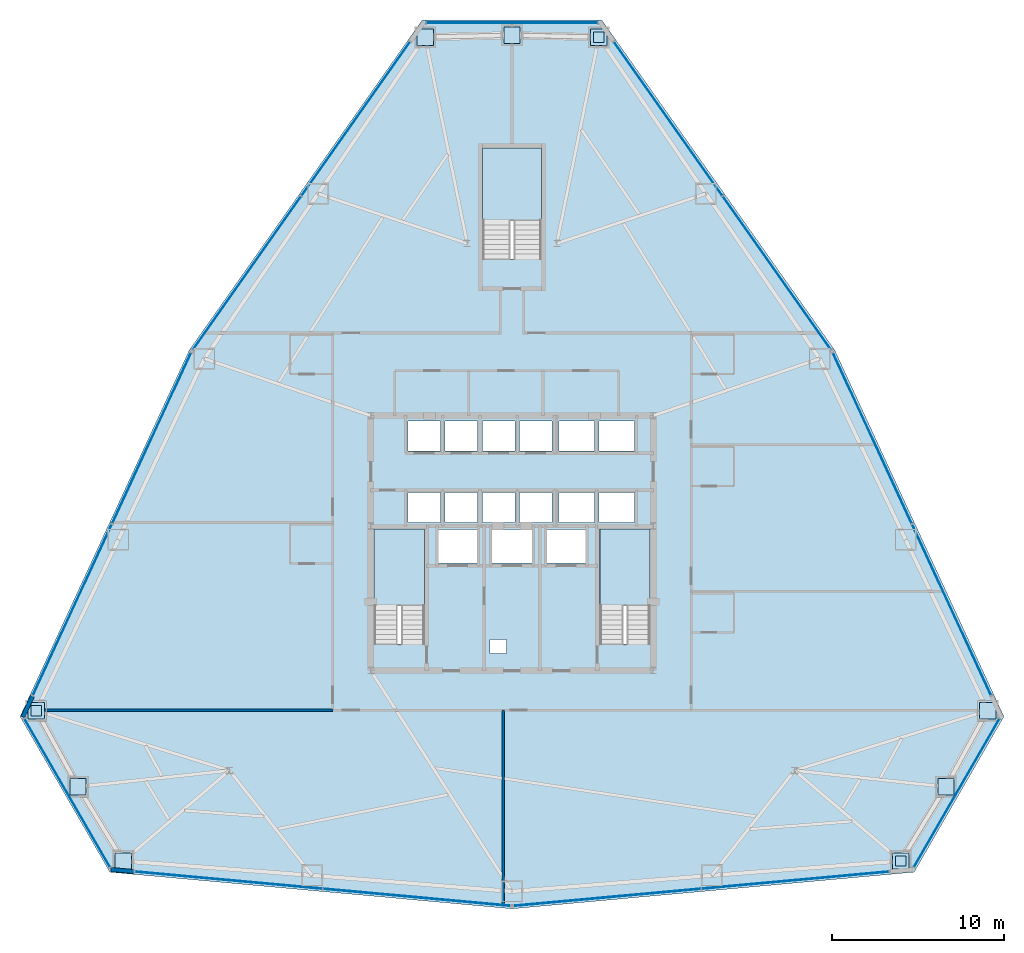
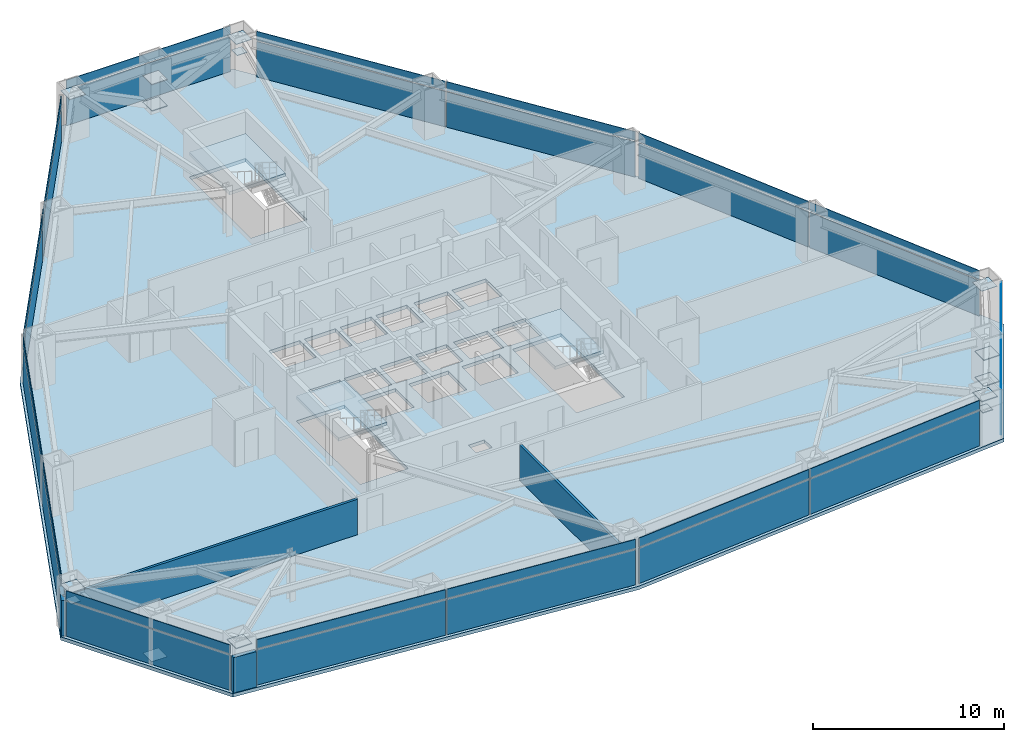
# One storey, part 8 of 12: 45 plates, 4 slabs, 4 walls, 12 elements without a shape of their own.
"""IFC4 building model written with IfcOpenShell, lengths in metres."""

import ifcopenshell
import ifcopenshell.guid

model = None  # the IFC model being written
_history = None  # IfcOwnerHistory: only IFC2X3 demands one
_inside = {}  # id of a spatial element -> (the spatial element, [elements in it])
_under = {}  # id of a project, library or spatial element -> (it, [spatial elements below it])
_declared = {}  # id of a project -> (the project, [libraries it declares])
_typed = {}  # id of a type object -> (the type object, [elements of that type])
_made_of = {}  # id of a material, layer set ... -> (it, [elements and type objects made of it])


def new_model(schema):
    """Start an empty IFC model of exactly this schema.

    Asked for "IFC4X3", IfcOpenShell would pick the latest addendum, in which some entities
    have other attributes; the version numbers below select the first issue.
    IFC2X3 requires an IfcOwnerHistory on every rooted entity: one is made here for all.
    """
    global model, _history
    if schema == "IFC4X3":
        model = ifcopenshell.file(schema_version=(4, 3, 0, 0))
    else:
        model = ifcopenshell.file(schema=schema)
    _inside.clear()
    _under.clear()
    _declared.clear()
    _typed.clear()
    _made_of.clear()
    _history = None
    if model.schema == "IFC2X3":
        org = make("IfcOrganization", Name="unknown")
        user = make(
            "IfcPersonAndOrganization",
            ThePerson=make("IfcPerson", FamilyName="unknown"),
            TheOrganization=org,
        )
        app = make(
            "IfcApplication",
            ApplicationDeveloper=org,
            Version="unknown",
            ApplicationFullName="unknown",
            ApplicationIdentifier="unknown",
        )
        _history = make(
            "IfcOwnerHistory",
            OwningUser=user,
            OwningApplication=app,
            ChangeAction="ADDED",
            CreationDate=0,
        )
    return model


def make(cls, **values):
    """One entity of the class cls with the attributes given. An attribute that is None is left unset."""
    return model.create_entity(
        cls, **{name: value for name, value in values.items() if value is not None}
    )


def rooted(cls, **values):
    """An entity with a GlobalId (a new one), such as an element, a storey or a relation."""
    return make(cls, GlobalId=ifcopenshell.guid.new(), OwnerHistory=_history, **values)


def si_unit(unit_type, name, prefix=None):
    """IfcSIUnit, for example si_unit("LENGTHUNIT", "METRE", prefix="MILLI")."""
    return make("IfcSIUnit", UnitType=unit_type, Prefix=prefix, Name=name)


def assignment(units):
    """IfcUnitAssignment: the units of a project."""
    return None if units is None else make("IfcUnitAssignment", Units=units)


def point(xyz):
    """IfcCartesianPoint."""
    return None if xyz is None else make("IfcCartesianPoint", Coordinates=xyz)


def direction(xyz):
    """IfcDirection."""
    return None if xyz is None else make("IfcDirection", DirectionRatios=xyz)


def frame(location, z_axis=None, x_axis=None):
    """IfcAxis2Placement3D, a coordinate frame: its origin and axes. An axis left out is left unset."""
    return make(
        "IfcAxis2Placement3D",
        Location=point(location),
        Axis=direction(z_axis),
        RefDirection=direction(x_axis),
    )


def frame_2d(location, x_axis=None):
    """IfcAxis2Placement2D, a coordinate frame in the plane: its origin and x axis."""
    return make(
        "IfcAxis2Placement2D", Location=point(location), RefDirection=direction(x_axis)
    )


def origin():
    """The frame at (0, 0, 0) with its axes left unset."""
    return frame((0.0, 0.0, 0.0))


def origin_2d():
    """The frame at (0, 0) in the plane with its x axis left unset."""
    return frame_2d((0.0, 0.0))


def place(relative_to, where):
    """IfcLocalPlacement: puts the frame where relative to a parent placement (None: the world)."""
    return make(
        "IfcLocalPlacement", PlacementRelTo=relative_to, RelativePlacement=where
    )


def context(
    kind, dimensions, precision=None, world=None, true_north=None, identifier=None
):
    """IfcGeometricRepresentationContext, for example the 3D "Model" context."""
    return make(
        "IfcGeometricRepresentationContext",
        ContextIdentifier=identifier,
        ContextType=kind,
        CoordinateSpaceDimension=dimensions,
        Precision=precision,
        WorldCoordinateSystem=world,
        TrueNorth=true_north,
    )


def subcontext(parent, identifier, kind, view, scale=None):
    """IfcGeometricRepresentationSubContext, for example "Body" below "Model"."""
    return make(
        "IfcGeometricRepresentationSubContext",
        ContextIdentifier=identifier,
        ContextType=kind,
        ParentContext=parent,
        TargetScale=scale,
        TargetView=view,
    )


def project(units=None, contexts=None):
    """IfcProject with its units and contexts."""
    return rooted(
        "IfcProject",
        Name="project",
        RepresentationContexts=contexts,
        UnitsInContext=assignment(units),
    )


def spatial(cls, under=None, at=None, **own):
    """A site, building, storey or space (cls), placed at a placement, below another one or the project."""
    s = rooted(cls, ObjectPlacement=at, **own)
    if under is not None:
        _under.setdefault(under.id(), (under, []))[1].append(s)
    return s


def polyline(points):
    """IfcPolyline through the points."""
    return make("IfcPolyline", Points=[point(p) for p in points])


def profile(cls, at=None, kind="AREA", **sizes):
    """A parametric profile (cls). Its sizes go by their IFC names, for example OverallWidth=200.0."""
    return make(cls, ProfileType=kind, Position=at, **sizes)


def rectangle(**sizes):
    """IfcRectangleProfileDef."""
    return profile("IfcRectangleProfileDef", **sizes)


def outline(outer, holes=None, kind="AREA"):
    """IfcArbitraryClosedProfileDef: a profile drawn as a closed curve; with holes, ...WithVoids."""
    if holes is None:
        return make("IfcArbitraryClosedProfileDef", ProfileType=kind, OuterCurve=outer)
    return make(
        "IfcArbitraryProfileDefWithVoids",
        ProfileType=kind,
        OuterCurve=outer,
        InnerCurves=holes,
    )


def extrude(swept, where, along, depth):
    """IfcExtrudedAreaSolid: the profile swept, set in the frame where, extruded along a direction by depth."""
    return make(
        "IfcExtrudedAreaSolid",
        SweptArea=swept,
        Position=where,
        ExtrudedDirection=direction(along),
        Depth=depth,
    )


def shape(context_of_items, identifier, shape_type, items):
    """IfcShapeRepresentation: the items that make up one representation, for example the "Body"."""
    return make(
        "IfcShapeRepresentation",
        ContextOfItems=context_of_items,
        RepresentationIdentifier=identifier,
        RepresentationType=shape_type,
        Items=items,
    )


def source(mapping_origin, context_of_items, identifier, shape_type, items):
    """IfcRepresentationMap: a shape defined once, which mapped items show again and again."""
    return make(
        "IfcRepresentationMap",
        MappingOrigin=mapping_origin,
        MappedRepresentation=shape(context_of_items, identifier, shape_type, items),
    )


def transform(
    local_origin,
    x_axis=None,
    y_axis=None,
    z_axis=None,
    scale=None,
    scale2=None,
    scale3=None,
    uniform=True,
):
    """IfcCartesianTransformationOperator3D, or its non-uniform kind. x_axis, y_axis, z_axis: its Axis1, 2, 3."""
    if uniform:
        return make(
            "IfcCartesianTransformationOperator3D",
            Axis1=direction(x_axis),
            Axis2=direction(y_axis),
            LocalOrigin=point(local_origin),
            Scale=scale,
            Axis3=direction(z_axis),
        )
    return make(
        "IfcCartesianTransformationOperator3DnonUniform",
        Axis1=direction(x_axis),
        Axis2=direction(y_axis),
        LocalOrigin=point(local_origin),
        Scale=scale,
        Axis3=direction(z_axis),
        Scale2=scale2,
        Scale3=scale3,
    )


def mapped(mapping_source, mapping_target):
    """IfcMappedItem: shows the shape of a source again, moved by a transform."""
    return make(
        "IfcMappedItem", MappingSource=mapping_source, MappingTarget=mapping_target
    )


def material(Name=None, Category=None):
    """IfcMaterial."""
    return make("IfcMaterial", Name=Name, Category=Category)


def layer(
    of_material, thickness, ventilated=None, Name=None, Category=None, Priority=None
):
    """IfcMaterialLayer: one layer of a wall or slab, of a material (None: an air gap)."""
    return make(
        "IfcMaterialLayer",
        Material=of_material,
        LayerThickness=thickness,
        IsVentilated=ventilated,
        Name=Name,
        Category=Category,
        Priority=Priority,
    )


def layer_set(layers, Name=None):
    """IfcMaterialLayerSet."""
    return make("IfcMaterialLayerSet", MaterialLayers=layers, LayerSetName=Name)


def made_of(thing, what):
    """Note that an element or type object is made of a material, layer set ...; save() writes the relation."""
    if what is not None:
        _made_of.setdefault(what.id(), (what, []))[1].append(thing)
    return thing


def type_object(cls, material=None, **own):
    """A type object (cls), such as IfcWallType, which elements share."""
    return made_of(rooted(cls, **own), material)


def type_shapes(of_type, sources):
    """Give a type object the sources (RepresentationMaps) that its elements show as mapped items."""
    of_type.RepresentationMaps = sources


def element(
    cls,
    number,
    at=None,
    inside=None,
    cuts=None,
    type_object=None,
    material=None,
    context=None,
    identifier="Body",
    shape_type=None,
    held_by="IfcProductDefinitionShape",
    body=None,
    shapes=None,
    **own,
):
    """One element of the class cls, such as IfcWall. Its Tag is "e" and its number.

    at: its placement. inside: the storey or other place that contains it. cuts: it is an
    opening in that element (IfcRelVoidsElement). A single representation is given by context,
    identifier, shape_type and body (its items); several are given by shapes. held_by: the class
    of the entity that holds the representations. save() writes the other relations.
    """
    e = rooted(cls, Tag="e%d" % number, ObjectPlacement=at, **own)
    if body is not None:
        shapes = [shape(context, identifier, shape_type, body)]
    if shapes is not None:
        e.Representation = make(held_by, Representations=shapes)
    if inside is not None:
        _inside.setdefault(inside.id(), (inside, []))[1].append(e)
    if cuts is not None:
        rooted(
            "IfcRelVoidsElement", RelatingBuildingElement=cuts, RelatedOpeningElement=e
        )
    if type_object is not None:
        _typed.setdefault(type_object.id(), (type_object, []))[1].append(e)
    return made_of(e, material)


def aggregate(whole, parts):
    """IfcRelAggregates: a whole, such as a stair, and the parts it consists of."""
    return rooted("IfcRelAggregates", RelatingObject=whole, RelatedObjects=parts)


def save(model, path):
    """Write the relations noted so far, then the file.

    IfcRelAggregates (storeys below a building ...), IfcRelContainedInSpatialStructure (elements
    in a storey), IfcRelDefinesByType, IfcRelAssociatesMaterial and IfcRelDeclares: one each for
    every whole, place, type object, material and project.
    """
    for whole, parts in _under.values():
        aggregate(whole, parts)
    for where, things in _inside.values():
        rooted(
            "IfcRelContainedInSpatialStructure",
            RelatedElements=things,
            RelatingStructure=where,
        )
    for kind, things in _typed.values():
        rooted("IfcRelDefinesByType", RelatedObjects=things, RelatingType=kind)
    for what, things in _made_of.values():
        rooted("IfcRelAssociatesMaterial", RelatedObjects=things, RelatingMaterial=what)
    for by, libraries in _declared.values():
        rooted("IfcRelDeclares", RelatingContext=by, RelatedDefinitions=libraries)
    model.write(path)


model = new_model("IFC4")

# Units and contexts
model_context = context("Model", 3, precision=1e-05, world=origin(), true_north=direction((0.0, 1.0)))
body_context = subcontext(model_context, "Body", "Model", "MODEL_VIEW")
ifc_project = project(units=[si_unit("LENGTHUNIT", "METRE"), si_unit("AREAUNIT", "SQUARE_METRE"), si_unit("VOLUMEUNIT", "CUBIC_METRE"), si_unit("PLANEANGLEUNIT", "RADIAN"), si_unit("MASSUNIT", "GRAM", prefix="KILO")], contexts=[model_context])

# Site, building, storey
site_placement = place(None, origin())
site = spatial("IfcSite", under=ifc_project, at=site_placement, CompositionType="ELEMENT")
building_placement = place(site_placement, origin())
building = spatial("IfcBuilding", under=site, at=building_placement, Name="Varakhsha Concourse Tower", CompositionType="ELEMENT")
storey_placement = place(building_placement, frame((0.0, 0.0, 36.800048828125)))
storey = spatial("IfcBuildingStorey", under=building, at=storey_placement, Name="L09", CompositionType="ELEMENT", Elevation=36.800048828125)

# Slab
ifc_material_1 = material(Name="Concrete fc 45 MPa", Category="concrete")
ifc_layer_1 = layer(ifc_material_1, 0.219970703125, Name="SL-FLR-220")
ifc_layer_set_1 = layer_set([ifc_layer_1], Name="Concrete fc 45 MPa")
slab_type_1 = type_object("IfcSlabType", Name="SL-FLR-220", PredefinedType="FLOOR", material=ifc_layer_set_1)
slab_1_placement = place(storey_placement, frame((0.0, 0.0, -0.219970703125)))
element("IfcSlab", 1, at=slab_1_placement, inside=storey, type_object=slab_type_1, Name="L09 Composite Structural Slab", PredefinedType="FLOOR", context=body_context, shape_type="SweptSolid", body=[
    extrude(outline(polyline([(45.21435546875, 54.168701171875), (34.78564453125, 54.168701171875), (21.268310546875, 35.0146484375), (11.439208984375, 13.7314453125), (16.653564453125, 4.699951171875), (40.0, 2.570556640625), (63.346435546875, 4.699951171875), (68.560791015625, 13.7314453125), (58.731689453125, 35.0146484375), (45.21435546875, 54.168701171875)]), holes=[polyline([(34.919921875, 17.93994140625), (34.919921875, 24.6298828125), (32.0, 24.6298828125), (32.0, 17.93994140625), (34.919921875, 17.93994140625)]), polyline([(48.02001953125, 17.93994140625), (48.02001953125, 24.6298828125), (45.10009765625, 24.6298828125), (45.10009765625, 17.93994140625), (48.02001953125, 17.93994140625)]), polyline([(41.699951171875, 40.300048828125), (41.699951171875, 46.75), (38.300048828125, 46.75), (38.300048828125, 40.300048828125), (41.699951171875, 40.300048828125)]), polyline([(33.9599609375, 29.159912109375), (35.840087890625, 29.159912109375), (35.840087890625, 30.89990234375), (33.9599609375, 30.89990234375), (33.9599609375, 29.159912109375)]), polyline([(36.1201171875, 29.159912109375), (38.0, 29.159912109375), (38.0, 30.89990234375), (36.1201171875, 30.89990234375), (36.1201171875, 29.159912109375)]), polyline([(38.280029296875, 29.159912109375), (40.159912109375, 29.159912109375), (40.159912109375, 30.89990234375), (38.280029296875, 30.89990234375), (38.280029296875, 29.159912109375)]), polyline([(40.43994140625, 29.159912109375), (42.320068359375, 29.159912109375), (42.320068359375, 30.89990234375), (40.43994140625, 30.89990234375), (40.43994140625, 29.159912109375)]), polyline([(33.9599609375, 25.0), (35.840087890625, 25.0), (35.840087890625, 26.739990234375), (33.9599609375, 26.739990234375), (33.9599609375, 25.0)]), polyline([(36.1201171875, 25.0), (38.0, 25.0), (38.0, 26.739990234375), (36.1201171875, 26.739990234375), (36.1201171875, 25.0)]), polyline([(38.280029296875, 25.0), (40.159912109375, 25.0), (40.159912109375, 26.739990234375), (38.280029296875, 26.739990234375), (38.280029296875, 25.0)]), polyline([(40.43994140625, 25.0), (42.320068359375, 25.0), (42.320068359375, 26.739990234375), (40.43994140625, 26.739990234375), (40.43994140625, 25.0)]), polyline([(42.739990234375, 29.159912109375), (44.780029296875, 29.159912109375), (44.780029296875, 30.89990234375), (42.739990234375, 30.89990234375), (42.739990234375, 29.159912109375)]), polyline([(45.06005859375, 29.159912109375), (47.10009765625, 29.159912109375), (47.10009765625, 30.89990234375), (45.06005859375, 30.89990234375), (45.06005859375, 29.159912109375)]), polyline([(42.739990234375, 25.0), (44.780029296875, 25.0), (44.780029296875, 26.739990234375), (42.739990234375, 26.739990234375), (42.739990234375, 25.0)]), polyline([(45.06005859375, 25.0), (47.10009765625, 25.0), (47.10009765625, 26.739990234375), (45.06005859375, 26.739990234375), (45.06005859375, 25.0)]), polyline([(35.7099609375, 22.639892578125), (37.989990234375, 22.639892578125), (37.989990234375, 24.60009765625), (35.7099609375, 24.60009765625), (35.7099609375, 22.639892578125)]), polyline([(42.010009765625, 22.639892578125), (44.2900390625, 22.639892578125), (44.2900390625, 24.60009765625), (42.010009765625, 24.60009765625), (42.010009765625, 22.639892578125)]), polyline([(38.81005859375, 22.639892578125), (41.18994140625, 22.639892578125), (41.18994140625, 24.60009765625), (38.81005859375, 24.60009765625), (38.81005859375, 22.639892578125)]), polyline([(38.719970703125, 17.39990234375), (39.679931640625, 17.39990234375), (39.679931640625, 18.199951171875), (38.719970703125, 18.199951171875), (38.719970703125, 17.39990234375)])]), origin(), (0.0, 0.0, 1.0), 0.219970703125),
])

# Stair, slab
stair_type_1 = type_object("IfcStairType", Name="ST-DOGLEG-1360", PredefinedType="HALF_TURN_STAIR", material=ifc_material_1)
stair_1_placement = place(storey_placement, origin())
stair_1 = element("IfcStair", 2, at=stair_1_placement, inside=storey, type_object=stair_type_1, Name="L09 Protected Exit Stair ST1", PredefinedType="HALF_TURN_STAIR")
ifc_layer_2 = layer(ifc_material_1, 0.199951171875, Name="SL-LAND-200")
ifc_layer_set_2 = layer_set([ifc_layer_2], Name="Concrete fc 45 MPa")
slab_type_2 = type_object("IfcSlabType", Name="SL-LAND-200", PredefinedType="LANDING", material=ifc_layer_set_2)
slab_2_placement = place(storey_placement, frame((0.0, 0.0, 1.39990234375)))
slab_2 = element("IfcSlab", 3, at=slab_2_placement, type_object=slab_type_2, Name="ST1 landing 1", PredefinedType="LANDING", context=body_context, shape_type="SweptSolid", body=[
    extrude(outline(polyline([(34.919921875, 20.179931640625), (34.919921875, 24.6298828125), (32.0, 24.6298828125), (32.0, 20.179931640625), (34.919921875, 20.179931640625)])), origin(), (0.0, 0.0, 1.0), 0.199951171875),
])
aggregate(stair_1, [slab_2])

stair_2_placement = place(storey_placement, origin())
stair_2 = element("IfcStair", 4, at=stair_2_placement, inside=storey, type_object=stair_type_1, Name="L09 Protected Exit Stair ST2", PredefinedType="HALF_TURN_STAIR")
slab_3_placement = place(storey_placement, frame((0.0, 0.0, 1.39990234375)))
slab_3 = element("IfcSlab", 5, at=slab_3_placement, type_object=slab_type_2, Name="ST2 landing 1", PredefinedType="LANDING", context=body_context, shape_type="SweptSolid", body=[
    extrude(outline(polyline([(48.02001953125, 20.179931640625), (48.02001953125, 24.6298828125), (45.10009765625, 24.6298828125), (45.10009765625, 20.179931640625), (48.02001953125, 20.179931640625)])), origin(), (0.0, 0.0, 1.0), 0.199951171875),
])
aggregate(stair_2, [slab_3])

stair_type_2 = type_object("IfcStairType", Name="ST-DOGLEG-1600", PredefinedType="HALF_TURN_STAIR", material=ifc_material_1)
stair_3_placement = place(storey_placement, origin())
stair_3 = element("IfcStair", 6, at=stair_3_placement, inside=storey, type_object=stair_type_2, Name="L09 Protected Exit Stair ST5", PredefinedType="HALF_TURN_STAIR")
slab_4_placement = place(storey_placement, frame((0.0, 0.0, 1.39990234375)))
slab_4 = element("IfcSlab", 7, at=slab_4_placement, type_object=slab_type_2, Name="ST5 landing 1", PredefinedType="LANDING", context=body_context, shape_type="SweptSolid", body=[
    extrude(outline(polyline([(41.699951171875, 42.5400390625), (41.699951171875, 46.75), (38.300048828125, 46.75), (38.300048828125, 42.5400390625), (41.699951171875, 42.5400390625)])), origin(), (0.0, 0.0, 1.0), 0.199951171875),
])
aggregate(stair_3, [slab_4])

# Plates
ifc_material_2 = material(Name="Structural Steel ASTM A572 Grade 50", Category="steel")
ifc_layer_3 = layer(ifc_material_2, 0.030029296875, Name="PL-ENDCAP-950")
ifc_layer_set_3 = layer_set([ifc_layer_3], Name="Structural Steel ASTM A572 Grade 50")
plate_type_1 = type_object("IfcPlateType", Name="PL-ENDCAP-950", PredefinedType="USERDEFINED", material=ifc_layer_set_3)
shared_shape_1 = source(origin(), body_context, "Body", "SweptSolid", [
    extrude(rectangle(XDim=0.949951171875, YDim=0.949951171875, at=origin_2d()), origin(), (0.0, 0.0, 1.0), 0.030029296875),
])
type_shapes(plate_type_1, [shared_shape_1])
for number, where, z_axis, x_axis, name in (
    (8, (40.0, 53.28857421875, 0.10498046875), (0.0, 0.0, 1.0), (1.0, 0.0, 0.0), "Hollow Section End Cap GP-NODE-L09-0040"),
    (9, (45.040771484375, 53.171630859375, 2.6650390625), (0.0, 0.0, 1.0), (1.0, 0.0, 0.0), "Hollow Section End Cap GP-NODE-L09-0041"),
    (10, (34.959228515625, 53.171630859375, 2.6650390625), (0.0, 0.0, 1.0), (1.0, 0.0, 0.0), "Hollow Section End Cap GP-NODE-L09-0042"),
    (11, (14.80859375, 9.65576171875, 0.10498046875), (0.0, 0.0, 1.0), (1.0, 0.0, 0.0), "Hollow Section End Cap GP-NODE-L09-0043"),
    (12, (12.389404296875, 14.07958984375, 2.6650390625), (0.0, 0.0, 1.0), (1.0, 0.0, 0.0), "Hollow Section End Cap GP-NODE-L09-0044"),
    (13, (17.430419921875, 5.3486328125, 2.6650390625), (0.0, 0.0, 1.0), (1.0, 0.0, 0.0), "Hollow Section End Cap GP-NODE-L09-0045"),
    (14, (65.19140625, 9.65576171875, 0.10498046875), (0.0, 0.0, 1.0), (1.0, 0.0, 0.0), "Hollow Section End Cap GP-NODE-L09-0046"),
    (15, (62.569580078125, 5.3486328125, 2.6650390625), (0.0, 0.0, 1.0), (1.0, 0.0, 0.0), "Hollow Section End Cap GP-NODE-L09-0047"),
    (16, (67.610595703125, 14.07958984375, 2.6650390625), (0.0, 0.0, 1.0), (1.0, 0.0, 0.0), "Hollow Section End Cap GP-NODE-L09-0048"),
    (17, (40.0, 53.28857421875, 1.78515625), (0.0, 0.0, 1.0), (1.0, 0.0, 0.0), "Hollow Section End Cap GP-NODE-L09-0049"),
    (18, (14.80859375, 9.65576171875, 1.78515625), (0.0, 0.0, 1.0), (1.0, 0.0, 0.0), "Hollow Section End Cap GP-NODE-L09-0050"),
    (19, (65.19140625, 9.65576171875, 1.78515625), (0.0, 0.0, 1.0), (1.0, 0.0, 0.0), "Hollow Section End Cap GP-NODE-L09-0051"),
):
    element("IfcPlate", number, at=place(storey_placement, frame(where, z_axis=z_axis, x_axis=x_axis)), inside=storey, type_object=plate_type_1, Name=name, ObjectType="END PLATE", PredefinedType="USERDEFINED", context=body_context, shape_type="MappedRepresentation", body=[
        mapped(shared_shape_1, transform((0.0, 0.0, 0.0), scale=1.0)),
    ])
ifc_layer_4 = layer(ifc_material_2, 0.030029296875, Name="PL-BASE-600")
ifc_layer_set_4 = layer_set([ifc_layer_4], Name="Structural Steel ASTM A572 Grade 50")
plate_type_2 = type_object("IfcPlateType", Name="PL-BASE-600", PredefinedType="SHEET", material=ifc_layer_set_4)
shared_shape_2 = source(origin(), body_context, "Body", "SweptSolid", [
    extrude(rectangle(XDim=0.60009765625, YDim=0.60009765625, at=origin_2d()), origin(), (0.0, 0.0, 1.0), 0.030029296875),
])
type_shapes(plate_type_2, [shared_shape_2])
for number, where, z_axis, x_axis, name in (
    (20, (45.040771484375, 53.171630859375, 1.78515625), (0.0, 0.0, 1.0), (1.0, 0.0, 0.0), "Hollow Section End Cap BP-WTIE-L09-1"),
    (21, (12.389404296875, 14.07958984375, 1.78515625), (0.0, 0.0, 1.0), (1.0, 0.0, 0.0), "Hollow Section End Cap BP-WTIE-L09-2"),
    (22, (62.569580078125, 5.3486328125, 1.78515625), (0.0, 0.0, 1.0), (1.0, 0.0, 0.0), "Hollow Section End Cap BP-WTIE-L09-3"),
):
    element("IfcPlate", number, at=place(storey_placement, frame(where, z_axis=z_axis, x_axis=x_axis)), inside=storey, type_object=plate_type_2, Name=name, PredefinedType="SHEET", context=body_context, shape_type="MappedRepresentation", body=[
        mapped(shared_shape_2, transform((0.0, 0.0, 0.0), scale=1.0)),
    ])

# Curtain wall, plate
ifc_material_3 = material(Name="Anodised Bronze Architectural Aluminium AA 6063-T6", Category="aluminium")
ifc_layer_5 = layer(ifc_material_3, 0.219970703125, Name="CW-SYS-02")
ifc_layer_set_5 = layer_set([ifc_layer_5], Name="Anodised Bronze Architectural Aluminium AA 6063-T6")
curtain_wall_type = type_object("IfcCurtainWallType", Name="CW-SYS-02", PredefinedType="NOTDEFINED", material=ifc_layer_set_5)
curtain_wall_1_placement = place(storey_placement, origin())
curtain_wall_1 = element("IfcCurtainWall", 23, at=curtain_wall_1_placement, inside=storey, type_object=curtain_wall_type, Name="L09 Chamfer Curtain Wall F1", PredefinedType="NOTDEFINED")
ifc_material_4 = material(Name="Insulated Anodised Bronze Aluminium Spandrel 36 mm", Category="aluminium")
ifc_layer_6 = layer(ifc_material_4, 0.035888671875, Name="CWP-SPN-36")
ifc_layer_set_6 = layer_set([ifc_layer_6], Name="Insulated Anodised Bronze Aluminium Spandrel 36 mm")
plate_type_3 = type_object("IfcPlateType", Name="CWP-SPN-36", PredefinedType="USERDEFINED", material=ifc_layer_set_6)
shared_shape_3 = source(origin(), body_context, "Body", "SweptSolid", [
    extrude(rectangle(XDim=9.90966796875, YDim=0.035888671875, at=origin_2d()), origin(), (0.0, 0.0, 1.0), 2.260986328125),
])
type_shapes(plate_type_3, [shared_shape_3])
plate_1_placement = place(storey_placement, frame((40.0, 54.008544921875, 0.03466796875), z_axis=(0.0, 0.0, 1.0), x_axis=(1.0, 0.0, 0.0)))
plate_1 = element("IfcPlate", 24, at=plate_1_placement, type_object=plate_type_3, Name="CW-L09-F1 Panel 00-00", ObjectType="SPANDREL", PredefinedType="USERDEFINED", context=body_context, shape_type="MappedRepresentation", body=[
    mapped(shared_shape_3, transform((0.0, 0.0, 0.0), scale=1.0)),
])

curtain_wall_2_placement = place(storey_placement, origin())
curtain_wall_2 = element("IfcCurtainWall", 25, at=curtain_wall_2_placement, inside=storey, type_object=curtain_wall_type, Name="L09 Chamfer Curtain Wall F4", PredefinedType="NOTDEFINED")
plate_2_placement = place(storey_placement, frame((14.18505859375, 9.295654296875, 0.03466796875), z_axis=(0.0, 0.0, 1.0), x_axis=(-0.4999984885, 0.866026276448, 0.0)))
plate_2 = element("IfcPlate", 26, at=plate_2_placement, type_object=plate_type_3, Name="CW-L09-F4 Panel 00-00", ObjectType="SPANDREL", PredefinedType="USERDEFINED", context=body_context, shape_type="MappedRepresentation", body=[
    mapped(shared_shape_3, transform((0.0, 0.0, 0.0), scale=1.0)),
])

curtain_wall_3_placement = place(storey_placement, origin())
curtain_wall_3 = element("IfcCurtainWall", 27, at=curtain_wall_3_placement, inside=storey, type_object=curtain_wall_type, Name="L09 Chamfer Curtain Wall F7", PredefinedType="NOTDEFINED")
plate_3_placement = place(storey_placement, frame((65.81494140625, 9.295654296875, 0.03466796875), z_axis=(0.0, 0.0, 1.0), x_axis=(-0.4999984885, -0.866026276448, 0.0)))
plate_3 = element("IfcPlate", 28, at=plate_3_placement, type_object=plate_type_3, Name="CW-L09-F7 Panel 00-00", ObjectType="SPANDREL", PredefinedType="USERDEFINED", context=body_context, shape_type="MappedRepresentation", body=[
    mapped(shared_shape_3, transform((0.0, 0.0, 0.0), scale=1.0)),
])

# Plate
ifc_material_5 = material(Name="Glazed Turquoise-Bronze Ceramic Spandrel Panel 38 mm", Category="ceramic")
ifc_layer_7 = layer(ifc_material_5, 0.0380859375, Name="CWP-SPN-38")
ifc_layer_set_7 = layer_set([ifc_layer_7], Name="Glazed Turquoise-Bronze Ceramic Spandrel Panel 38 mm")
plate_type_4 = type_object("IfcPlateType", Name="CWP-SPN-38", PredefinedType="USERDEFINED", material=ifc_layer_set_7)
shared_shape_4 = source(origin(), body_context, "Body", "SweptSolid", [
    extrude(rectangle(XDim=9.90966796875, YDim=0.0380859375, at=origin_2d()), origin(), (0.0, 0.0, 1.0), 0.5810546875),
])
plate_4_placement = place(storey_placement, frame((40.0, 54.008544921875, 2.364501953125), z_axis=(0.0, 0.0, 1.0), x_axis=(1.0, 0.0, 0.0)))
plate_4 = element("IfcPlate", 29, at=plate_4_placement, type_object=plate_type_4, Name="CW-L09-F1 Panel 00-01", ObjectType="SPANDREL", PredefinedType="USERDEFINED", context=body_context, shape_type="MappedRepresentation", body=[
    mapped(shared_shape_4, transform((0.0, 0.0, 0.0), scale=1.0)),
])

aggregate(curtain_wall_1, [plate_1, plate_4])

plate_5_placement = place(storey_placement, frame((14.18505859375, 9.295654296875, 2.364501953125), z_axis=(0.0, 0.0, 1.0), x_axis=(-0.4999984885, 0.866026276448, 0.0)))
plate_5 = element("IfcPlate", 30, at=plate_5_placement, type_object=plate_type_4, Name="CW-L09-F4 Panel 00-01", ObjectType="SPANDREL", PredefinedType="USERDEFINED", context=body_context, shape_type="MappedRepresentation", body=[
    mapped(shared_shape_4, transform((0.0, 0.0, 0.0), scale=1.0)),
])

aggregate(curtain_wall_2, [plate_2, plate_5])

plate_6_placement = place(storey_placement, frame((65.81494140625, 9.295654296875, 2.364501953125), z_axis=(0.0, 0.0, 1.0), x_axis=(-0.4999984885, -0.866026276448, 0.0)))
plate_6 = element("IfcPlate", 31, at=plate_6_placement, type_object=plate_type_4, Name="CW-L09-F7 Panel 00-01", ObjectType="SPANDREL", PredefinedType="USERDEFINED", context=body_context, shape_type="MappedRepresentation", body=[
    mapped(shared_shape_4, transform((0.0, 0.0, 0.0), scale=1.0)),
])

aggregate(curtain_wall_3, [plate_3, plate_6])

# Curtain wall, plates
curtain_wall_4_placement = place(storey_placement, origin())
curtain_wall_4 = element("IfcCurtainWall", 32, at=curtain_wall_4_placement, inside=storey, type_object=curtain_wall_type, Name="L09 Crystal Curtain Wall F2", PredefinedType="NOTDEFINED")
ifc_material_6 = material(Name="Low-E Triple Insulating Glass IGU 44 mm", Category="glass")
ifc_layer_8 = layer(ifc_material_6, 0.0439453125, Name="CWP-IGU-44")
ifc_layer_set_8 = layer_set([ifc_layer_8], Name="Low-E Triple Insulating Glass IGU 44 mm")
plate_type_5 = type_object("IfcPlateType", Name="CWP-IGU-44", PredefinedType="CURTAIN_PANEL", material=ifc_layer_set_8)
shared_shape_5 = source(origin(), body_context, "Body", "SweptSolid", [
    extrude(rectangle(XDim=10.892578125, YDim=0.0439453125, at=origin_2d()), origin(), (0.0, 0.0, 1.0), 2.260986328125),
])
type_shapes(plate_type_5, [shared_shape_5])
plate_7_placement = place(storey_placement, frame((24.6083984375, 39.469970703125, 0.03466796875), z_axis=(0.0, 0.0, 1.0), x_axis=(0.576593464077, 0.817031197191, 0.0)))
plate_7 = element("IfcPlate", 33, at=plate_7_placement, type_object=plate_type_5, Name="CW-L09-F2 Panel 00-00", PredefinedType="CURTAIN_PANEL", context=body_context, shape_type="MappedRepresentation", body=[
    mapped(shared_shape_5, transform((0.0, 0.0, 0.0), scale=1.0)),
])
plate_8_placement = place(storey_placement, frame((30.9345703125, 48.43408203125, 0.03466796875), z_axis=(0.0, 0.0, 1.0), x_axis=(0.576593464077, 0.817031197191, 0.0)))
plate_8 = element("IfcPlate", 34, at=plate_8_placement, type_object=plate_type_5, Name="CW-L09-F2 Panel 01-00", PredefinedType="CURTAIN_PANEL", context=body_context, shape_type="MappedRepresentation", body=[
    mapped(shared_shape_5, transform((0.0, 0.0, 0.0), scale=1.0)),
])

curtain_wall_5_placement = place(storey_placement, origin())
curtain_wall_5 = element("IfcCurtainWall", 35, at=curtain_wall_5_placement, inside=storey, type_object=curtain_wall_type, Name="L09 Crystal Curtain Wall F3", PredefinedType="NOTDEFINED")
plate_9_placement = place(storey_placement, frame((14.47998046875, 19.933837890625, 0.03466796875), z_axis=(0.0, 0.0, 1.0), x_axis=(0.419269871381, 0.907861649676, 0.0)))
plate_9 = element("IfcPlate", 36, at=plate_9_placement, type_object=plate_type_5, Name="CW-L09-F3 Panel 00-00", PredefinedType="CURTAIN_PANEL", context=body_context, shape_type="MappedRepresentation", body=[
    mapped(shared_shape_5, transform((0.0, 0.0, 0.0), scale=1.0)),
])
plate_10_placement = place(storey_placement, frame((19.080078125, 29.89453125, 0.03466796875), z_axis=(0.0, 0.0, 1.0), x_axis=(0.419269871381, 0.907861649676, 0.0)))
plate_10 = element("IfcPlate", 37, at=plate_10_placement, type_object=plate_type_5, Name="CW-L09-F3 Panel 01-00", PredefinedType="CURTAIN_PANEL", context=body_context, shape_type="MappedRepresentation", body=[
    mapped(shared_shape_5, transform((0.0, 0.0, 0.0), scale=1.0)),
])

curtain_wall_6_placement = place(storey_placement, origin())
curtain_wall_6 = element("IfcCurtainWall", 38, at=curtain_wall_6_placement, inside=storey, type_object=curtain_wall_type, Name="L09 Crystal Curtain Wall F5", PredefinedType="NOTDEFINED")
plate_11_placement = place(storey_placement, frame((34.4716796875, 3.235595703125, 0.03466796875), z_axis=(0.0, 0.0, 1.0), x_axis=(-0.995866028897, 0.090834203295, 0.0)))
plate_11 = element("IfcPlate", 39, at=plate_11_placement, type_object=plate_type_5, Name="CW-L09-F5 Panel 00-00", PredefinedType="CURTAIN_PANEL", context=body_context, shape_type="MappedRepresentation", body=[
    mapped(shared_shape_5, transform((0.0, 0.0, 0.0), scale=1.0)),
])
plate_12_placement = place(storey_placement, frame((23.54541015625, 4.232177734375, 0.03466796875), z_axis=(0.0, 0.0, 1.0), x_axis=(-0.995866028897, 0.090834203295, 0.0)))
plate_12 = element("IfcPlate", 40, at=plate_12_placement, type_object=plate_type_5, Name="CW-L09-F5 Panel 01-00", PredefinedType="CURTAIN_PANEL", context=body_context, shape_type="MappedRepresentation", body=[
    mapped(shared_shape_5, transform((0.0, 0.0, 0.0), scale=1.0)),
])

curtain_wall_7_placement = place(storey_placement, origin())
curtain_wall_7 = element("IfcCurtainWall", 41, at=curtain_wall_7_placement, inside=storey, type_object=curtain_wall_type, Name="L09 Crystal Curtain Wall F6", PredefinedType="NOTDEFINED")
plate_13_placement = place(storey_placement, frame((56.45458984375, 4.232177734375, 0.03466796875), z_axis=(0.0, 0.0, 1.0), x_axis=(-0.995866028897, -0.090834203295, 0.0)))
plate_13 = element("IfcPlate", 42, at=plate_13_placement, type_object=plate_type_5, Name="CW-L09-F6 Panel 00-00", PredefinedType="CURTAIN_PANEL", context=body_context, shape_type="MappedRepresentation", body=[
    mapped(shared_shape_5, transform((0.0, 0.0, 0.0), scale=1.0)),
])
plate_14_placement = place(storey_placement, frame((45.5283203125, 3.235595703125, 0.03466796875), z_axis=(0.0, 0.0, 1.0), x_axis=(-0.995866028897, -0.090834203295, 0.0)))
plate_14 = element("IfcPlate", 43, at=plate_14_placement, type_object=plate_type_5, Name="CW-L09-F6 Panel 01-00", PredefinedType="CURTAIN_PANEL", context=body_context, shape_type="MappedRepresentation", body=[
    mapped(shared_shape_5, transform((0.0, 0.0, 0.0), scale=1.0)),
])

curtain_wall_8_placement = place(storey_placement, origin())
curtain_wall_8 = element("IfcCurtainWall", 44, at=curtain_wall_8_placement, inside=storey, type_object=curtain_wall_type, Name="L09 Crystal Curtain Wall F8", PredefinedType="NOTDEFINED")
plate_15_placement = place(storey_placement, frame((60.919921875, 29.89453125, 0.03466796875), z_axis=(0.0, 0.0, 1.0), x_axis=(0.419269871381, -0.907861649676, 0.0)))
plate_15 = element("IfcPlate", 45, at=plate_15_placement, type_object=plate_type_5, Name="CW-L09-F8 Panel 00-00", PredefinedType="CURTAIN_PANEL", context=body_context, shape_type="MappedRepresentation", body=[
    mapped(shared_shape_5, transform((0.0, 0.0, 0.0), scale=1.0)),
])
plate_16_placement = place(storey_placement, frame((65.52001953125, 19.933837890625, 0.03466796875), z_axis=(0.0, 0.0, 1.0), x_axis=(0.419269871381, -0.907861649676, 0.0)))
plate_16 = element("IfcPlate", 46, at=plate_16_placement, type_object=plate_type_5, Name="CW-L09-F8 Panel 01-00", PredefinedType="CURTAIN_PANEL", context=body_context, shape_type="MappedRepresentation", body=[
    mapped(shared_shape_5, transform((0.0, 0.0, 0.0), scale=1.0)),
])

curtain_wall_9_placement = place(storey_placement, origin())
curtain_wall_9 = element("IfcCurtainWall", 47, at=curtain_wall_9_placement, inside=storey, type_object=curtain_wall_type, Name="L09 Crystal Curtain Wall F9", PredefinedType="NOTDEFINED")
plate_17_placement = place(storey_placement, frame((49.0654296875, 48.43408203125, 0.03466796875), z_axis=(0.0, 0.0, 1.0), x_axis=(0.576593464077, -0.817031197191, 0.0)))
plate_17 = element("IfcPlate", 48, at=plate_17_placement, type_object=plate_type_5, Name="CW-L09-F9 Panel 00-00", PredefinedType="CURTAIN_PANEL", context=body_context, shape_type="MappedRepresentation", body=[
    mapped(shared_shape_5, transform((0.0, 0.0, 0.0), scale=1.0)),
])
plate_18_placement = place(storey_placement, frame((55.3916015625, 39.469970703125, 0.03466796875), z_axis=(0.0, 0.0, 1.0), x_axis=(0.576593464077, -0.817031197191, 0.0)))
plate_18 = element("IfcPlate", 49, at=plate_18_placement, type_object=plate_type_5, Name="CW-L09-F9 Panel 01-00", PredefinedType="CURTAIN_PANEL", context=body_context, shape_type="MappedRepresentation", body=[
    mapped(shared_shape_5, transform((0.0, 0.0, 0.0), scale=1.0)),
])

# Plate
shared_shape_6 = source(origin(), body_context, "Body", "SweptSolid", [
    extrude(rectangle(XDim=10.892578125, YDim=0.0380859375, at=origin_2d()), origin(), (0.0, 0.0, 1.0), 0.5810546875),
])
type_shapes(plate_type_4, [shared_shape_4, shared_shape_6])
plate_19_placement = place(storey_placement, frame((24.6083984375, 39.469970703125, 2.364501953125), z_axis=(0.0, 0.0, 1.0), x_axis=(0.576593464077, 0.817031197191, 0.0)))
plate_19 = element("IfcPlate", 50, at=plate_19_placement, type_object=plate_type_4, Name="CW-L09-F2 Panel 00-01", ObjectType="SPANDREL", PredefinedType="USERDEFINED", context=body_context, shape_type="MappedRepresentation", body=[
    mapped(shared_shape_6, transform((0.0, 0.0, 0.0), scale=1.0)),
])

plate_20_placement = place(storey_placement, frame((30.9345703125, 48.43408203125, 2.364501953125), z_axis=(0.0, 0.0, 1.0), x_axis=(0.576593464077, 0.817031197191, 0.0)))
plate_20 = element("IfcPlate", 51, at=plate_20_placement, type_object=plate_type_4, Name="CW-L09-F2 Panel 01-01", ObjectType="SPANDREL", PredefinedType="USERDEFINED", context=body_context, shape_type="MappedRepresentation", body=[
    mapped(shared_shape_6, transform((0.0, 0.0, 0.0), scale=1.0)),
])

aggregate(curtain_wall_4, [plate_7, plate_19, plate_8, plate_20])

plate_21_placement = place(storey_placement, frame((14.47998046875, 19.933837890625, 2.364501953125), z_axis=(0.0, 0.0, 1.0), x_axis=(0.419269871381, 0.907861649676, 0.0)))
plate_21 = element("IfcPlate", 52, at=plate_21_placement, type_object=plate_type_4, Name="CW-L09-F3 Panel 00-01", ObjectType="SPANDREL", PredefinedType="USERDEFINED", context=body_context, shape_type="MappedRepresentation", body=[
    mapped(shared_shape_6, transform((0.0, 0.0, 0.0), scale=1.0)),
])

plate_22_placement = place(storey_placement, frame((19.080078125, 29.89453125, 2.364501953125), z_axis=(0.0, 0.0, 1.0), x_axis=(0.419269871381, 0.907861649676, 0.0)))
plate_22 = element("IfcPlate", 53, at=plate_22_placement, type_object=plate_type_4, Name="CW-L09-F3 Panel 01-01", ObjectType="SPANDREL", PredefinedType="USERDEFINED", context=body_context, shape_type="MappedRepresentation", body=[
    mapped(shared_shape_6, transform((0.0, 0.0, 0.0), scale=1.0)),
])

aggregate(curtain_wall_5, [plate_9, plate_21, plate_10, plate_22])

plate_23_placement = place(storey_placement, frame((34.4716796875, 3.235595703125, 2.364501953125), z_axis=(0.0, 0.0, 1.0), x_axis=(-0.995866028897, 0.090834203295, 0.0)))
plate_23 = element("IfcPlate", 54, at=plate_23_placement, type_object=plate_type_4, Name="CW-L09-F5 Panel 00-01", ObjectType="SPANDREL", PredefinedType="USERDEFINED", context=body_context, shape_type="MappedRepresentation", body=[
    mapped(shared_shape_6, transform((0.0, 0.0, 0.0), scale=1.0)),
])

plate_24_placement = place(storey_placement, frame((23.54541015625, 4.232177734375, 2.364501953125), z_axis=(0.0, 0.0, 1.0), x_axis=(-0.995866028897, 0.090834203295, 0.0)))
plate_24 = element("IfcPlate", 55, at=plate_24_placement, type_object=plate_type_4, Name="CW-L09-F5 Panel 01-01", ObjectType="SPANDREL", PredefinedType="USERDEFINED", context=body_context, shape_type="MappedRepresentation", body=[
    mapped(shared_shape_6, transform((0.0, 0.0, 0.0), scale=1.0)),
])

aggregate(curtain_wall_6, [plate_11, plate_23, plate_12, plate_24])

plate_25_placement = place(storey_placement, frame((56.45458984375, 4.232177734375, 2.364501953125), z_axis=(0.0, 0.0, 1.0), x_axis=(-0.995866028897, -0.090834203295, 0.0)))
plate_25 = element("IfcPlate", 56, at=plate_25_placement, type_object=plate_type_4, Name="CW-L09-F6 Panel 00-01", ObjectType="SPANDREL", PredefinedType="USERDEFINED", context=body_context, shape_type="MappedRepresentation", body=[
    mapped(shared_shape_6, transform((0.0, 0.0, 0.0), scale=1.0)),
])

plate_26_placement = place(storey_placement, frame((45.5283203125, 3.235595703125, 2.364501953125), z_axis=(0.0, 0.0, 1.0), x_axis=(-0.995866028897, -0.090834203295, 0.0)))
plate_26 = element("IfcPlate", 57, at=plate_26_placement, type_object=plate_type_4, Name="CW-L09-F6 Panel 01-01", ObjectType="SPANDREL", PredefinedType="USERDEFINED", context=body_context, shape_type="MappedRepresentation", body=[
    mapped(shared_shape_6, transform((0.0, 0.0, 0.0), scale=1.0)),
])

aggregate(curtain_wall_7, [plate_13, plate_25, plate_14, plate_26])

plate_27_placement = place(storey_placement, frame((60.919921875, 29.89453125, 2.364501953125), z_axis=(0.0, 0.0, 1.0), x_axis=(0.419269871381, -0.907861649676, 0.0)))
plate_27 = element("IfcPlate", 58, at=plate_27_placement, type_object=plate_type_4, Name="CW-L09-F8 Panel 00-01", ObjectType="SPANDREL", PredefinedType="USERDEFINED", context=body_context, shape_type="MappedRepresentation", body=[
    mapped(shared_shape_6, transform((0.0, 0.0, 0.0), scale=1.0)),
])

plate_28_placement = place(storey_placement, frame((65.52001953125, 19.933837890625, 2.364501953125), z_axis=(0.0, 0.0, 1.0), x_axis=(0.419269871381, -0.907861649676, 0.0)))
plate_28 = element("IfcPlate", 59, at=plate_28_placement, type_object=plate_type_4, Name="CW-L09-F8 Panel 01-01", ObjectType="SPANDREL", PredefinedType="USERDEFINED", context=body_context, shape_type="MappedRepresentation", body=[
    mapped(shared_shape_6, transform((0.0, 0.0, 0.0), scale=1.0)),
])

aggregate(curtain_wall_8, [plate_15, plate_27, plate_16, plate_28])

plate_29_placement = place(storey_placement, frame((49.0654296875, 48.43408203125, 2.364501953125), z_axis=(0.0, 0.0, 1.0), x_axis=(0.576593464077, -0.817031197191, 0.0)))
plate_29 = element("IfcPlate", 60, at=plate_29_placement, type_object=plate_type_4, Name="CW-L09-F9 Panel 00-01", ObjectType="SPANDREL", PredefinedType="USERDEFINED", context=body_context, shape_type="MappedRepresentation", body=[
    mapped(shared_shape_6, transform((0.0, 0.0, 0.0), scale=1.0)),
])

plate_30_placement = place(storey_placement, frame((55.3916015625, 39.469970703125, 2.364501953125), z_axis=(0.0, 0.0, 1.0), x_axis=(0.576593464077, -0.817031197191, 0.0)))
plate_30 = element("IfcPlate", 61, at=plate_30_placement, type_object=plate_type_4, Name="CW-L09-F9 Panel 01-01", ObjectType="SPANDREL", PredefinedType="USERDEFINED", context=body_context, shape_type="MappedRepresentation", body=[
    mapped(shared_shape_6, transform((0.0, 0.0, 0.0), scale=1.0)),
])

aggregate(curtain_wall_9, [plate_17, plate_29, plate_18, plate_30])

# Walls
ifc_layer_9 = layer(ifc_material_1, 0.239990234375, Name="WL-EXT-CRN-240")
ifc_layer_set_9 = layer_set([ifc_layer_9], Name="Concrete fc 45 MPa")
wall_type_1 = type_object("IfcWallType", Name="WL-EXT-CRN-240", PredefinedType="SHEAR", material=ifc_layer_set_9)
for number, where, z_axis, x_axis, name in (
    (62, (12.164306640625, 14.91943359375, 0.0), (0.0, 0.0, 1.0), (-0.419348851808, -0.907825170662, 0.0), "L09 Wind-Corner Shoulder Wall F3"),
    (63, (16.718994140625, 4.854736328125, 0.0), (0.0, 0.0, 1.0), (0.995872137329, -0.090767208245, 0.0), "L09 Wind-Corner Shoulder Wall F5"),
):
    element("IfcWall", number, at=place(storey_placement, frame(where, z_axis=z_axis, x_axis=x_axis)), inside=storey, type_object=wall_type_1, Name=name, PredefinedType="SHEAR", context=body_context, shape_type="SweptSolid", body=[
        extrude(rectangle(XDim=1.33154296875, YDim=0.239990234375, at=frame_2d((0.665771484375, 0.0))), origin(), (0.0, 0.0, 1.0), 2.262939453125),
    ])
ifc_material_7 = material(Name="Fire-Rated Type X Gypsum Partition Assembly", Category="gypsum")
ifc_layer_10 = layer(ifc_material_7, 0.14990234375, Name="WL-PART-150")
ifc_layer_set_10 = layer_set([ifc_layer_10], Name="Fire-Rated Type X Gypsum Partition Assembly")
wall_type_2 = type_object("IfcWallType", Name="WL-PART-150", PredefinedType="PARTITIONING", material=ifc_layer_set_10)
wall_1_placement = place(storey_placement, frame((39.5, 2.781982421875, 0.0), z_axis=(0.0, 0.0, 1.0), x_axis=(0.0, 1.0, 0.0)))
element("IfcWall", 64, at=wall_1_placement, inside=storey, type_object=wall_type_2, Name="L09 Wall HDIV-S1-L09", PredefinedType="PARTITIONING", context=body_context, shape_type="SweptSolid", body=[
    extrude(rectangle(XDim=11.318115234375, YDim=0.14990234375, at=frame_2d((5.6591796875, 0.0))), origin(), (0.0, 0.0, 1.0), 2.26806640625),
])
wall_2_placement = place(storey_placement, frame((11.791259765625, 14.10009765625, 0.0), z_axis=(0.0, 0.0, 1.0), x_axis=(1.0, 0.0, 0.0)))
element("IfcWall", 65, at=wall_2_placement, inside=storey, type_object=wall_type_2, Name="L09 Wall HDIV-WB0-L09", PredefinedType="PARTITIONING", context=body_context, shape_type="SweptSolid", body=[
    extrude(rectangle(XDim=17.808837890625, YDim=0.14990234375, at=frame_2d((8.904296875, 0.0))), origin(), (0.0, 0.0, 1.0), 2.26806640625),
])

save(model, "model.ifc")
